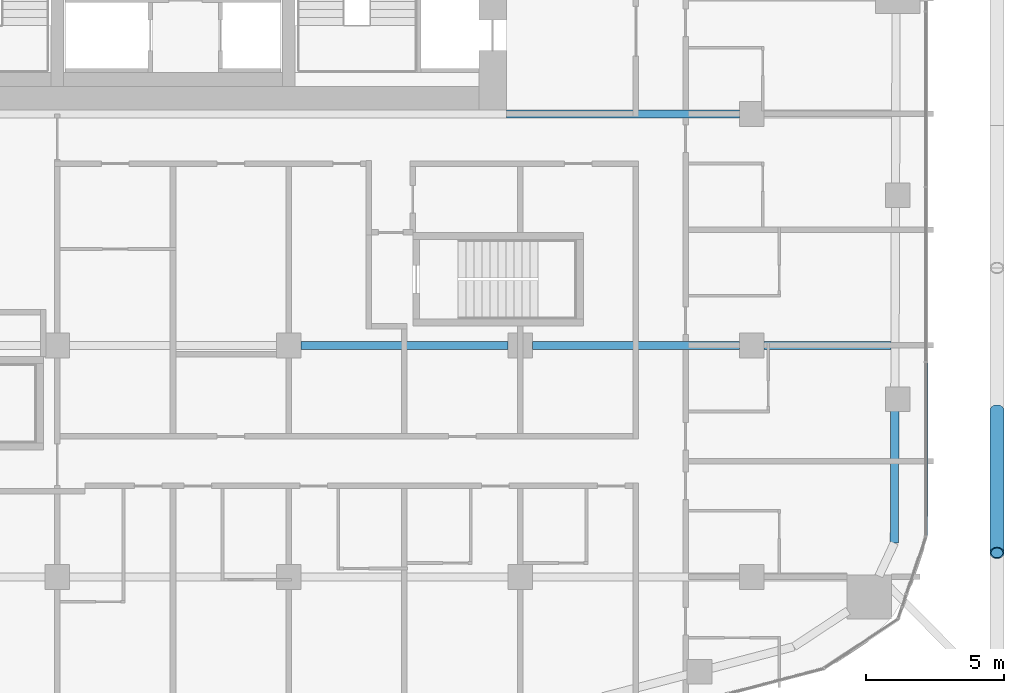
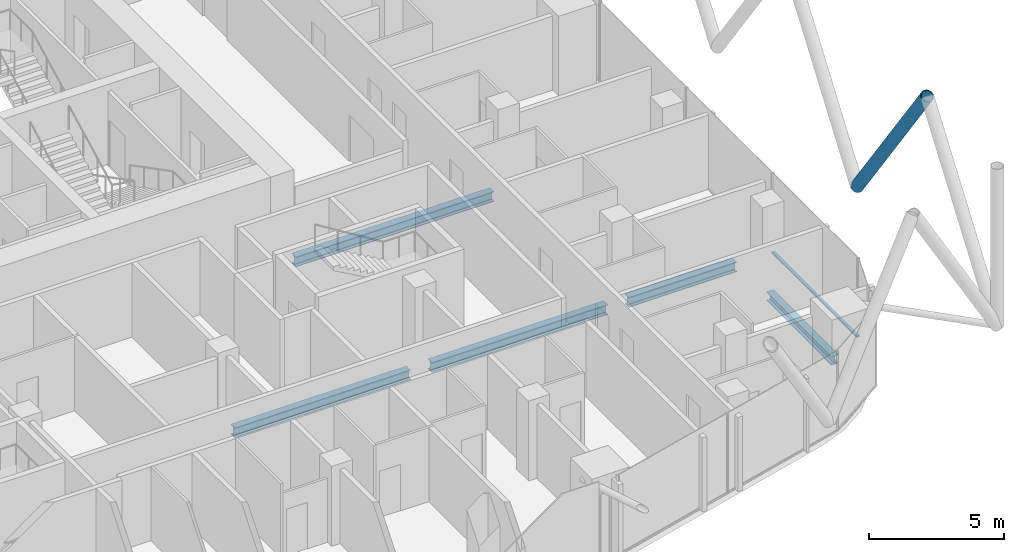
# One storey, part 7 of 33: 5 beams, 2 members, 1 element without a shape of its own.
"""IFC4 building model written with IfcOpenShell, lengths in metres."""

from ifc_helpers import new_model, si_unit, direction, frame, origin, origin_2d, place, context, subcontext, project, spatial, rectangle, hollow_circle, i_section, extrude, material, layer, layer_set, material_profile, profile_set, type_object, element, aggregate, save


model = new_model("IFC4")

# Units and contexts
model_context = context("Model", 3, precision=1e-05, world=origin(), true_north=direction((0.0, 1.0)))
body_context = subcontext(model_context, "Body", "Model", "MODEL_VIEW")
ifc_project = project(units=[si_unit("LENGTHUNIT", "METRE"), si_unit("AREAUNIT", "SQUARE_METRE"), si_unit("VOLUMEUNIT", "CUBIC_METRE"), si_unit("PLANEANGLEUNIT", "RADIAN"), si_unit("MASSUNIT", "GRAM", prefix="KILO")], contexts=[model_context])

# Site, building, storey
site_placement = place(None, origin())
site = spatial("IfcSite", under=ifc_project, at=site_placement, CompositionType="ELEMENT")
building_placement = place(site_placement, origin())
building = spatial("IfcBuilding", under=site, at=building_placement, Name="Marenta Gate Hotel Tower", CompositionType="ELEMENT")
storey_placement = place(building_placement, frame((0.0, 0.0, 137.300048828125)))
storey = spatial("IfcBuildingStorey", under=building, at=storey_placement, Name="L31", CompositionType="ELEMENT", Elevation=137.300048828125)

# Member
ifc_material_1 = material(Name="Steel S355J2W", Category="steel")
ifc_material_profile_1 = material_profile(ifc_material_1, hollow_circle(Radius=0.25390625, WallThickness=0.0400390625, at=origin_2d()), Name="CHS 508x40")
ifc_profile_set_1 = profile_set([ifc_material_profile_1], Name="Steel S355J2W")
member_type_1 = type_object("IfcMemberType", Name="Diagrid diagonal Z2 CHS 508x40", PredefinedType="BRACE", material=ifc_profile_set_1)
member_1_placement = place(storey_placement, frame((29.89990234375, -10.760009765625, 3.139892578125), z_axis=(0.0, -0.583279014058, 0.812271870595), x_axis=(1.0, 0.0, 0.0)))
element("IfcMember", 1, at=member_1_placement, inside=storey, type_object=member_type_1, Name="L31-DG-9", PredefinedType="BRACE", context=body_context, shape_type="SweptSolid", body=[
    extrude(hollow_circle(Radius=0.25390625, WallThickness=0.0400390625, at=origin_2d()), origin(), (0.0, 0.0, 1.0), 8.864013671875),
])

# Beams
ifc_material_2 = material(Name="Steel S355", Category="steel")
ifc_material_profile_2 = material_profile(ifc_material_2, i_section(OverallWidth=0.300048828125, OverallDepth=0.39990234375, WebThickness=0.013427734375, FlangeThickness=0.02392578125, FilletRadius=0.027099609375, at=origin_2d()), Name="HEB 400")
ifc_profile_set_2 = profile_set([ifc_material_profile_2], Name="Steel S355")
beam_type_1 = type_object("IfcBeamType", Name="Edge beam HEB 400", PredefinedType="SPANDREL", material=ifc_profile_set_2)
beam_1_placement = place(storey_placement, frame((26.191162109375, -10.761962890625, -0.4599609375), z_axis=(-0.003353298899, -0.999994377677, 0.0), x_axis=(0.999994377677, -0.003353298899, 0.0)))
element("IfcBeam", 2, at=beam_1_placement, inside=storey, type_object=beam_type_1, Name="L31-EB-27", PredefinedType="SPANDREL", context=body_context, shape_type="SweptSolid", body=[
    extrude(i_section(OverallWidth=0.300048828125, OverallDepth=0.39990234375, WebThickness=0.013427734375, FlangeThickness=0.02392578125, FilletRadius=0.027099609375, at=origin_2d()), origin(), (0.0, 0.0, 1.0), 4.80517578125),
])
ifc_material_3 = material(Name="Steel S355", Category="steel")
ifc_material_profile_3 = material_profile(ifc_material_3, i_section(OverallWidth=0.300048828125, OverallDepth=0.449951171875, WebThickness=0.013916015625, FlangeThickness=0.02587890625, FilletRadius=0.027099609375, at=origin_2d()), Name="HEB 450")
ifc_profile_set_3 = profile_set([ifc_material_profile_3], Name="Steel S355")
beam_type_2 = type_object("IfcBeamType", Name="Girder HEB 450", PredefinedType="BEAM", material=ifc_profile_set_3)
for number, where, z_axis, x_axis, name in (
    (3, (4.64990234375, -8.39990234375, -0.485107421875), (1.0, 0.0, 0.0), (0.0, 1.0, 0.0), "L31-GD-12"),
    (4, (13.050048828125, -8.39990234375, -0.485107421875), (1.0, 0.0, 0.0), (0.0, 1.0, 0.0), "L31-GD-13"),
):
    element("IfcBeam", number, at=place(storey_placement, frame(where, z_axis=z_axis, x_axis=x_axis)), inside=storey, type_object=beam_type_2, Name=name, PredefinedType="BEAM", context=body_context, shape_type="SweptSolid", body=[
        extrude(i_section(OverallWidth=0.300048828125, OverallDepth=0.449951171875, WebThickness=0.013916015625, FlangeThickness=0.02587890625, FilletRadius=0.027099609375, at=origin_2d()), origin(), (0.0, 0.0, 1.0), 7.5),
    ])
beam_2_placement = place(storey_placement, frame((21.449951171875, -8.39990234375, -0.485107421875), z_axis=(1.0, 0.0, 0.0), x_axis=(0.0, 1.0, 0.0)))
element("IfcBeam", 5, at=beam_2_placement, inside=storey, type_object=beam_type_2, Name="L31-GD-14", PredefinedType="BEAM", context=body_context, shape_type="SweptSolid", body=[
    extrude(i_section(OverallWidth=0.300048828125, OverallDepth=0.449951171875, WebThickness=0.013916015625, FlangeThickness=0.02587890625, FilletRadius=0.027099609375, at=origin_2d()), origin(), (0.0, 0.0, 1.0), 4.59912109375),
])
beam_3_placement = place(storey_placement, frame((12.10009765625, 0.0, -0.485107421875), z_axis=(1.0, 0.0, 0.0), x_axis=(0.0, 1.0, 0.0)))
element("IfcBeam", 6, at=beam_3_placement, inside=storey, type_object=beam_type_2, Name="L31-GD-18", PredefinedType="BEAM", context=body_context, shape_type="SweptSolid", body=[
    extrude(i_section(OverallWidth=0.300048828125, OverallDepth=0.449951171875, WebThickness=0.013916015625, FlangeThickness=0.02587890625, FilletRadius=0.027099609375, at=origin_2d()), origin(), (0.0, 0.0, 1.0), 8.449951171875),
])

# Curtain wall, member
ifc_material_4 = material(Name="Tinted insulated glass in bronze anodised frame", Category="glass")
ifc_layer = layer(ifc_material_4, 0.1201171875)
ifc_layer_set = layer_set([ifc_layer], Name="Tinted insulated glass in bronze anodised frame")
curtain_wall_type = type_object("IfcCurtainWallType", Name="Tower unitised curtain wall CW1", PredefinedType="NOTDEFINED", material=ifc_layer_set)
curtain_wall_placement = place(storey_placement, origin())
curtain_wall = element("IfcCurtainWall", 7, at=curtain_wall_placement, inside=storey, type_object=curtain_wall_type, Name="CW1 run G19", PredefinedType="NOTDEFINED")
ifc_material_5 = material(Name="Bronze anodised aluminium", Category="aluminium")
ifc_material_profile_4 = material_profile(ifc_material_5, rectangle(XDim=0.1201171875, YDim=0.06005859375, at=origin_2d()), Name="Transom CW1 60x120 bronze anodised aluminium")
ifc_profile_set_4 = profile_set([ifc_material_profile_4], Name="Bronze anodised aluminium")
member_type_2 = type_object("IfcMemberType", Name="Transom CW1 60x120 bronze anodised aluminium", PredefinedType="USERDEFINED", material=ifc_profile_set_4)
member_2_placement = place(storey_placement, frame((27.31396484375, -15.30810546875, 0.030029296875), z_axis=(0.0, 1.0, 0.0), x_axis=(-1.0, 0.0, 0.0)))
member_2 = element("IfcMember", 8, at=member_2_placement, type_object=member_type_2, Name="CW1 transom 1.1", ObjectType="TRANSOM", PredefinedType="USERDEFINED", context=body_context, shape_type="SweptSolid", body=[
    extrude(rectangle(XDim=0.1201171875, YDim=0.06005859375, at=origin_2d()), origin(), (0.0, 0.0, 1.0), 6.27001953125),
])
aggregate(curtain_wall, [member_2])

save(model, "model.ifc")
